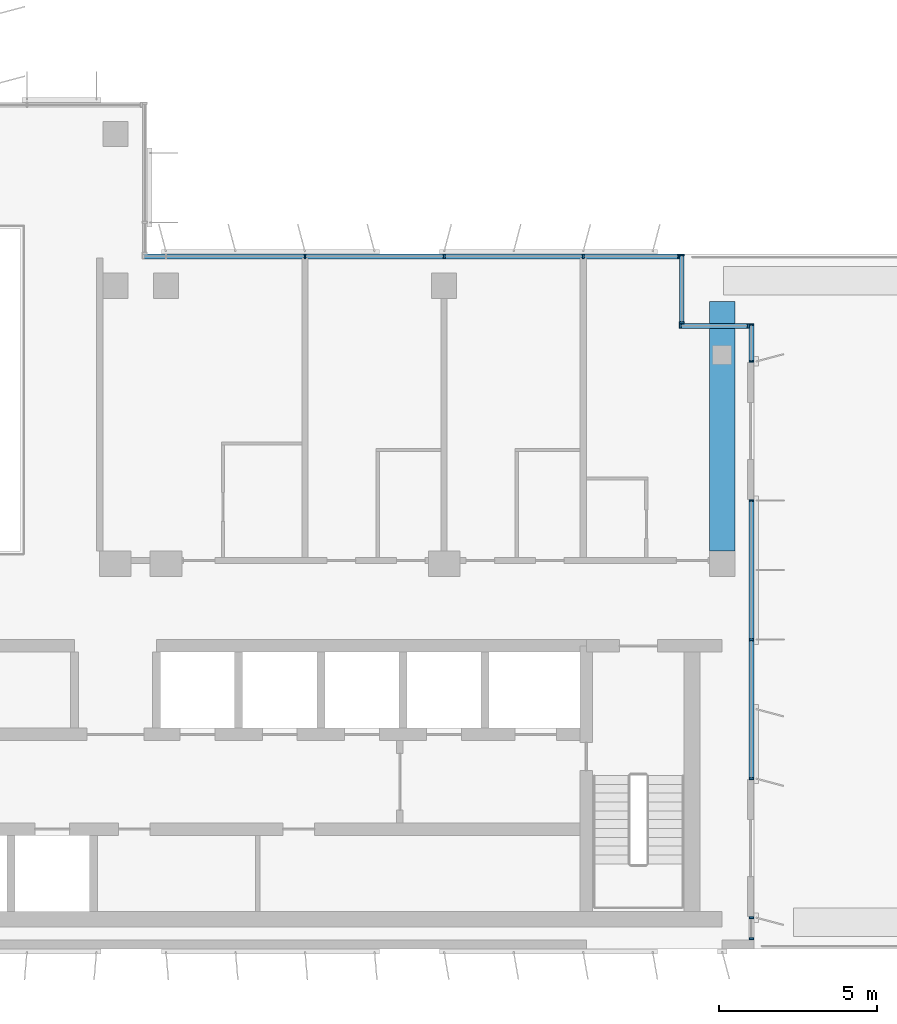
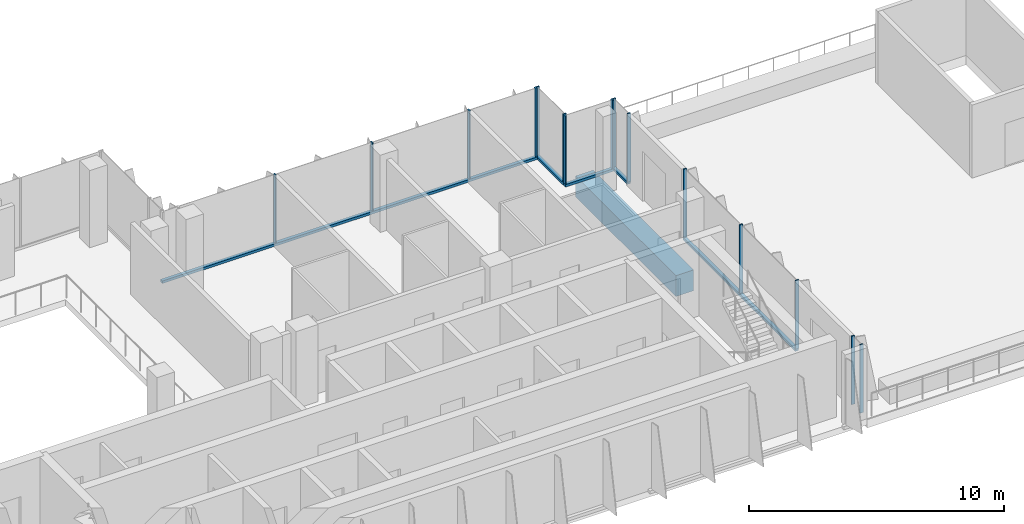
# One storey, part 3 of 17: 20 members, 1 beam, 6 elements without a shape of their own.
"""IFC4 building model written with IfcOpenShell, lengths in metres."""

from ifc_helpers import new_model, si_unit, direction, frame, origin, origin_2d, place, context, subcontext, project, spatial, rectangle, extrude, source, transform, mapped, material, material_profile, profile_set, type_object, element, aggregate, save


model = new_model("IFC4")

# Units and contexts
model_context = context("Model", 3, precision=1e-05, world=origin(), true_north=direction((0.0, 1.0)))
body_context = subcontext(model_context, "Body", "Model", "MODEL_VIEW")
ifc_project = project(units=[si_unit("LENGTHUNIT", "METRE"), si_unit("AREAUNIT", "SQUARE_METRE"), si_unit("VOLUMEUNIT", "CUBIC_METRE"), si_unit("PLANEANGLEUNIT", "RADIAN"), si_unit("MASSUNIT", "GRAM", prefix="KILO")], contexts=[model_context])

# Site, building, storey
site_placement = place(None, origin())
site = spatial("IfcSite", under=ifc_project, at=site_placement, CompositionType="ELEMENT")
building_placement = place(site_placement, origin())
building = spatial("IfcBuilding", under=site, at=building_placement, Name="Kemantara Hotel Tower", CompositionType="ELEMENT")
storey_placement = place(building_placement, frame((0.0, 0.0, 222.800048828125)))
storey = spatial("IfcBuildingStorey", under=building, at=storey_placement, Name="L55", CompositionType="ELEMENT", Elevation=222.800048828125)

# Beam
ifc_material_1 = material(Name="Concrete fc 60 MPa", Category="concrete")
ifc_material_profile_1 = material_profile(ifc_material_1, rectangle(XDim=0.800048828125, YDim=1.0, at=origin_2d()), Name="RC 800X1000")
ifc_profile_set_1 = profile_set([ifc_material_profile_1], Name="Concrete fc 60 MPa")
beam_type = type_object("IfcBeamType", Name="RC TRANSFER BEAM 800X1000 FC60", PredefinedType="BEAM", material=ifc_profile_set_1)
beam_placement = place(storey_placement, frame((45.0, 12.60009765625, -0.800048828125), z_axis=(0.0, 1.0, 0.0), x_axis=(-1.0, 0.0, 0.0)))
element("IfcBeam", 1, at=beam_placement, inside=storey, type_object=beam_type, Name="Transfer beam TB5 L55", PredefinedType="BEAM", context=body_context, shape_type="SweptSolid", body=[
    extrude(rectangle(XDim=0.800048828125, YDim=1.0, at=origin_2d()), origin(), (0.0, 0.0, 1.0), 7.89990234375),
])

# Curtain wall, member
ifc_material_2 = material(Name="Toughened tinted glass 32 mm", Category="glass")
curtain_wall_type_1 = type_object("IfcCurtainWallType", Name="TERRACE GLAZING WALL", PredefinedType="USERDEFINED", material=ifc_material_2)
curtain_wall_1_placement = place(storey_placement, origin())
curtain_wall_1 = element("IfcCurtainWall", 2, at=curtain_wall_1_placement, inside=storey, type_object=curtain_wall_type_1, Name="CW6 L55 T4-R09-2", ObjectType="TERRACE GLAZING WALL", PredefinedType="USERDEFINED")
ifc_material_3 = material(Name="Aluminium 6063-T6 bronze anodised", Category="aluminium")
ifc_material_profile_2 = material_profile(ifc_material_3, rectangle(XDim=0.14990234375, YDim=0.1201171875, at=origin_2d()), Name="TERRACE GLAZING WALL TRANSOM")
ifc_profile_set_2 = profile_set([ifc_material_profile_2], Name="Aluminium 6063-T6 bronze anodised")
member_type_1 = type_object("IfcMemberType", Name="TERRACE GLAZING WALL TRANSOM", PredefinedType="USERDEFINED", material=ifc_profile_set_2)
member_1_placement = place(storey_placement, frame((45.925048828125, 5.39990234375, 0.06005859375), z_axis=(0.0, 1.0, 0.0), x_axis=(-1.0, 0.0, 0.0)))
member_1 = element("IfcMember", 3, at=member_1_placement, type_object=member_type_1, Name="CW6 sill transom T4-R09-2", ObjectType="TRANSOM", PredefinedType="USERDEFINED", context=body_context, shape_type="SweptSolid", body=[
    extrude(rectangle(XDim=0.14990234375, YDim=0.1201171875, at=origin_2d()), origin(), (0.0, 0.0, 1.0), 8.800048828125),
])

curtain_wall_2_placement = place(storey_placement, origin())
curtain_wall_2 = element("IfcCurtainWall", 4, at=curtain_wall_2_placement, inside=storey, type_object=curtain_wall_type_1, Name="CW6 L55 T4-R09-3", ObjectType="TERRACE GLAZING WALL", PredefinedType="USERDEFINED")
member_2_placement = place(storey_placement, frame((45.925048828125, 18.60009765625, 0.06005859375), z_axis=(0.0, 1.0, 0.0), x_axis=(-1.0, 0.0, 0.0)))
member_2 = element("IfcMember", 5, at=member_2_placement, type_object=member_type_1, Name="CW6 sill transom T4-R09-3", ObjectType="TRANSOM", PredefinedType="USERDEFINED", context=body_context, shape_type="SweptSolid", body=[
    extrude(rectangle(XDim=0.14990234375, YDim=0.1201171875, at=origin_2d()), origin(), (0.0, 0.0, 1.0), 1.199951171875),
])

curtain_wall_3_placement = place(storey_placement, origin())
curtain_wall_3 = element("IfcCurtainWall", 6, at=curtain_wall_3_placement, inside=storey, type_object=curtain_wall_type_1, Name="CW6 L55 T4-R10-1", ObjectType="TERRACE GLAZING WALL", PredefinedType="USERDEFINED")
member_3_placement = place(storey_placement, frame((45.85009765625, 19.72509765625, 0.06005859375), z_axis=(-1.0, 0.0, 0.0), x_axis=(0.0, -1.0, 0.0)))
member_3 = element("IfcMember", 7, at=member_3_placement, type_object=member_type_1, Name="CW6 sill transom T4-R10-1", ObjectType="TRANSOM", PredefinedType="USERDEFINED", context=body_context, shape_type="SweptSolid", body=[
    extrude(rectangle(XDim=0.14990234375, YDim=0.1201171875, at=origin_2d()), origin(), (0.0, 0.0, 1.0), 2.2001953125),
])

curtain_wall_4_placement = place(storey_placement, origin())
curtain_wall_4 = element("IfcCurtainWall", 8, at=curtain_wall_4_placement, inside=storey, type_object=curtain_wall_type_1, Name="CW6 L55 T4-R11-1", ObjectType="TERRACE GLAZING WALL", PredefinedType="USERDEFINED")
member_4_placement = place(storey_placement, frame((43.72509765625, 19.800048828125, 0.06005859375), z_axis=(0.0, 1.0, 0.0), x_axis=(-1.0, 0.0, 0.0)))
member_4 = element("IfcMember", 9, at=member_4_placement, type_object=member_type_1, Name="CW6 sill transom T4-R11-1", ObjectType="TRANSOM", PredefinedType="USERDEFINED", context=body_context, shape_type="SweptSolid", body=[
    extrude(rectangle(XDim=0.14990234375, YDim=0.1201171875, at=origin_2d()), origin(), (0.0, 0.0, 1.0), 2.199951171875),
])

# Curtain wall, members
ifc_material_4 = material(Name="Low-E tinted double insulated glass 36 mm", Category="glass")
curtain_wall_type_2 = type_object("IfcCurtainWallType", Name="TOWER CURTAIN WALL, FRONT FACES", PredefinedType="USERDEFINED", material=ifc_material_4)
curtain_wall_5_placement = place(storey_placement, origin())
curtain_wall_5 = element("IfcCurtainWall", 10, at=curtain_wall_5_placement, inside=storey, type_object=curtain_wall_type_2, Name="CW4 L55 T4-R12-1", ObjectType="TOWER CURTAIN WALL, FRONT FACES", PredefinedType="USERDEFINED")
ifc_material_profile_3 = material_profile(ifc_material_3, rectangle(XDim=0.14990234375, YDim=0.1201171875, at=origin_2d()), Name="TOWER CURTAIN WALL, FRONT FACES TRANSOM")
ifc_profile_set_3 = profile_set([ifc_material_profile_3], Name="Aluminium 6063-T6 bronze anodised")
member_type_2 = type_object("IfcMemberType", Name="TOWER CURTAIN WALL, FRONT FACES TRANSOM", PredefinedType="USERDEFINED", material=ifc_profile_set_3)
member_5_placement = place(storey_placement, frame((43.64990234375, 21.925048828125, 0.06005859375), z_axis=(-1.0, 0.0, 0.0), x_axis=(0.0, -1.0, 0.0)))
member_5 = element("IfcMember", 11, at=member_5_placement, type_object=member_type_2, Name="CW4 sill transom T4-R12-1", ObjectType="TRANSOM", PredefinedType="USERDEFINED", context=body_context, shape_type="SweptSolid", body=[
    extrude(rectangle(XDim=0.14990234375, YDim=0.1201171875, at=origin_2d()), origin(), (0.0, 0.0, 1.0), 17.0),
])
ifc_material_profile_4 = material_profile(ifc_material_3, rectangle(XDim=0.14990234375, YDim=0.06005859375, at=origin_2d()), Name="TOWER CURTAIN WALL, FRONT FACES MULLION")
ifc_profile_set_4 = profile_set([ifc_material_profile_4], Name="Aluminium 6063-T6 bronze anodised")
member_type_3 = type_object("IfcMemberType", Name="TOWER CURTAIN WALL, FRONT FACES MULLION", PredefinedType="MULLION", material=ifc_profile_set_4)
shared_shape_1 = source(origin(), body_context, "Body", "SweptSolid", [
    extrude(rectangle(XDim=0.14990234375, YDim=0.06005859375, at=origin_2d()), origin(), (0.0, 0.0, 1.0), 3.280029296875),
])
member_6_placement = place(storey_placement, frame((43.6201171875, 21.925048828125, 0.119873046875), z_axis=(0.0, 0.0, 1.0), x_axis=(0.0, -1.0, 0.0)))
member_6 = element("IfcMember", 12, at=member_6_placement, type_object=member_type_3, Name="CW4 mullion T4-R12-1.1", PredefinedType="MULLION", context=body_context, shape_type="MappedRepresentation", body=[
    mapped(shared_shape_1, transform((0.0, 0.0, 0.0))),
])
member_7_placement = place(storey_placement, frame((40.60009765625, 21.925048828125, 0.119873046875), z_axis=(0.0, 0.0, 1.0), x_axis=(0.0, -1.0, 0.0)))
member_7 = element("IfcMember", 13, at=member_7_placement, type_object=member_type_3, Name="CW4 mullion T4-R12-1.2", PredefinedType="MULLION", context=body_context, shape_type="MappedRepresentation", body=[
    mapped(shared_shape_1, transform((0.0, 0.0, 0.0))),
])
member_8_placement = place(storey_placement, frame((36.199951171875, 21.925048828125, 0.119873046875), z_axis=(0.0, 0.0, 1.0), x_axis=(0.0, -1.0, 0.0)))
member_8 = element("IfcMember", 14, at=member_8_placement, type_object=member_type_3, Name="CW4 mullion T4-R12-1.3", PredefinedType="MULLION", context=body_context, shape_type="MappedRepresentation", body=[
    mapped(shared_shape_1, transform((0.0, 0.0, 0.0))),
])
member_9_placement = place(storey_placement, frame((31.800048828125, 21.925048828125, 0.119873046875), z_axis=(0.0, 0.0, 1.0), x_axis=(0.0, -1.0, 0.0)))
member_9 = element("IfcMember", 15, at=member_9_placement, type_object=member_type_3, Name="CW4 mullion T4-R12-1.4", PredefinedType="MULLION", context=body_context, shape_type="MappedRepresentation", body=[
    mapped(shared_shape_1, transform((0.0, 0.0, 0.0))),
])
aggregate(curtain_wall_5, [member_5, member_6, member_7, member_8, member_9])

curtain_wall_6_placement = place(storey_placement, origin())
curtain_wall_6 = element("IfcCurtainWall", 16, at=curtain_wall_6_placement, inside=storey, type_object=curtain_wall_type_1, Name="CW6 L55 T4-R09-1", ObjectType="TERRACE GLAZING WALL", PredefinedType="USERDEFINED")
ifc_material_profile_5 = material_profile(ifc_material_3, rectangle(XDim=0.14990234375, YDim=0.06005859375, at=origin_2d()), Name="TERRACE GLAZING WALL MULLION")
ifc_profile_set_5 = profile_set([ifc_material_profile_5], Name="Aluminium 6063-T6 bronze anodised")
member_type_4 = type_object("IfcMemberType", Name="TERRACE GLAZING WALL MULLION", PredefinedType="MULLION", material=ifc_profile_set_5)
shared_shape_2 = source(origin(), body_context, "Body", "SweptSolid", [
    extrude(rectangle(XDim=0.14990234375, YDim=0.06005859375, at=origin_2d()), origin(), (0.0, 0.0, 1.0), 3.280029296875),
])
member_10_placement = place(storey_placement, frame((45.925048828125, 0.330078125, 0.119873046875), z_axis=(0.0, 0.0, 1.0), x_axis=(-1.0, 0.0, 0.0)))
member_10 = element("IfcMember", 17, at=member_10_placement, type_object=member_type_4, Name="CW6 mullion T4-R09-1.1", PredefinedType="MULLION", context=body_context, shape_type="MappedRepresentation", body=[
    mapped(shared_shape_2, transform((0.0, 0.0, 0.0))),
])
member_11_placement = place(storey_placement, frame((45.925048828125, 1.0, 0.119873046875), z_axis=(0.0, 0.0, 1.0), x_axis=(-1.0, 0.0, 0.0)))
member_11 = element("IfcMember", 18, at=member_11_placement, type_object=member_type_4, Name="CW6 mullion T4-R09-1.2", PredefinedType="MULLION", context=body_context, shape_type="MappedRepresentation", body=[
    mapped(shared_shape_2, transform((0.0, 0.0, 0.0))),
])
aggregate(curtain_wall_6, [member_10, member_11])

# Member
member_12_placement = place(storey_placement, frame((45.925048828125, 5.39990234375, 0.119873046875), z_axis=(0.0, 0.0, 1.0), x_axis=(-1.0, 0.0, 0.0)))
member_12 = element("IfcMember", 19, at=member_12_placement, type_object=member_type_4, Name="CW6 mullion T4-R09-2.1", PredefinedType="MULLION", context=body_context, shape_type="MappedRepresentation", body=[
    mapped(shared_shape_2, transform((0.0, 0.0, 0.0))),
])

member_13_placement = place(storey_placement, frame((45.925048828125, 9.800048828125, 0.119873046875), z_axis=(0.0, 0.0, 1.0), x_axis=(-1.0, 0.0, 0.0)))
member_13 = element("IfcMember", 20, at=member_13_placement, type_object=member_type_4, Name="CW6 mullion T4-R09-2.2", PredefinedType="MULLION", context=body_context, shape_type="MappedRepresentation", body=[
    mapped(shared_shape_2, transform((0.0, 0.0, 0.0))),
])

member_14_placement = place(storey_placement, frame((45.925048828125, 14.199951171875, 0.119873046875), z_axis=(0.0, 0.0, 1.0), x_axis=(-1.0, 0.0, 0.0)))
member_14 = element("IfcMember", 21, at=member_14_placement, type_object=member_type_4, Name="CW6 mullion T4-R09-2.3", PredefinedType="MULLION", context=body_context, shape_type="MappedRepresentation", body=[
    mapped(shared_shape_2, transform((0.0, 0.0, 0.0))),
])

aggregate(curtain_wall_1, [member_1, member_12, member_13, member_14])

member_15_placement = place(storey_placement, frame((45.925048828125, 18.60009765625, 0.119873046875), z_axis=(0.0, 0.0, 1.0), x_axis=(-1.0, 0.0, 0.0)))
member_15 = element("IfcMember", 22, at=member_15_placement, type_object=member_type_4, Name="CW6 mullion T4-R09-3.1", PredefinedType="MULLION", context=body_context, shape_type="MappedRepresentation", body=[
    mapped(shared_shape_2, transform((0.0, 0.0, 0.0))),
])

member_16_placement = place(storey_placement, frame((45.925048828125, 19.77001953125, 0.119873046875), z_axis=(0.0, 0.0, 1.0), x_axis=(-1.0, 0.0, 0.0)))
member_16 = element("IfcMember", 23, at=member_16_placement, type_object=member_type_4, Name="CW6 mullion T4-R09-3.2", PredefinedType="MULLION", context=body_context, shape_type="MappedRepresentation", body=[
    mapped(shared_shape_2, transform((0.0, 0.0, 0.0))),
])

aggregate(curtain_wall_2, [member_2, member_15, member_16])

member_17_placement = place(storey_placement, frame((45.820068359375, 19.72509765625, 0.119873046875), z_axis=(0.0, 0.0, 1.0), x_axis=(0.0, -1.0, 0.0)))
member_17 = element("IfcMember", 24, at=member_17_placement, type_object=member_type_4, Name="CW6 mullion T4-R10-1.1", PredefinedType="MULLION", context=body_context, shape_type="MappedRepresentation", body=[
    mapped(shared_shape_2, transform((0.0, 0.0, 0.0))),
])

member_18_placement = place(storey_placement, frame((43.679931640625, 19.72509765625, 0.119873046875), z_axis=(0.0, 0.0, 1.0), x_axis=(0.0, -1.0, 0.0)))
member_18 = element("IfcMember", 25, at=member_18_placement, type_object=member_type_4, Name="CW6 mullion T4-R10-1.2", PredefinedType="MULLION", context=body_context, shape_type="MappedRepresentation", body=[
    mapped(shared_shape_2, transform((0.0, 0.0, 0.0))),
])

aggregate(curtain_wall_3, [member_3, member_17, member_18])

member_19_placement = place(storey_placement, frame((43.72509765625, 19.830078125, 0.119873046875), z_axis=(0.0, 0.0, 1.0), x_axis=(-1.0, 0.0, 0.0)))
member_19 = element("IfcMember", 26, at=member_19_placement, type_object=member_type_4, Name="CW6 mullion T4-R11-1.1", PredefinedType="MULLION", context=body_context, shape_type="MappedRepresentation", body=[
    mapped(shared_shape_2, transform((0.0, 0.0, 0.0))),
])

member_20_placement = place(storey_placement, frame((43.72509765625, 21.969970703125, 0.119873046875), z_axis=(0.0, 0.0, 1.0), x_axis=(-1.0, 0.0, 0.0)))
member_20 = element("IfcMember", 27, at=member_20_placement, type_object=member_type_4, Name="CW6 mullion T4-R11-1.2", PredefinedType="MULLION", context=body_context, shape_type="MappedRepresentation", body=[
    mapped(shared_shape_2, transform((0.0, 0.0, 0.0))),
])

aggregate(curtain_wall_4, [member_4, member_19, member_20])

save(model, "model.ifc")
